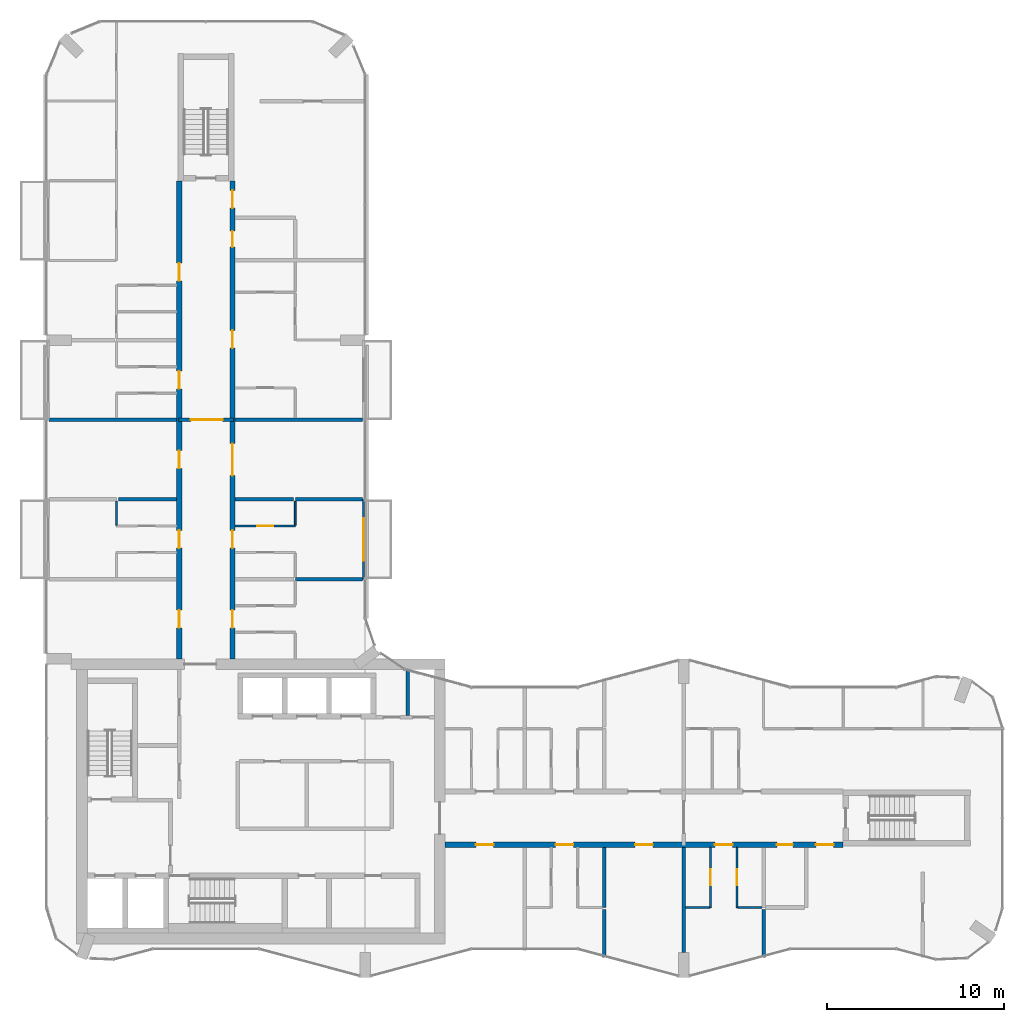
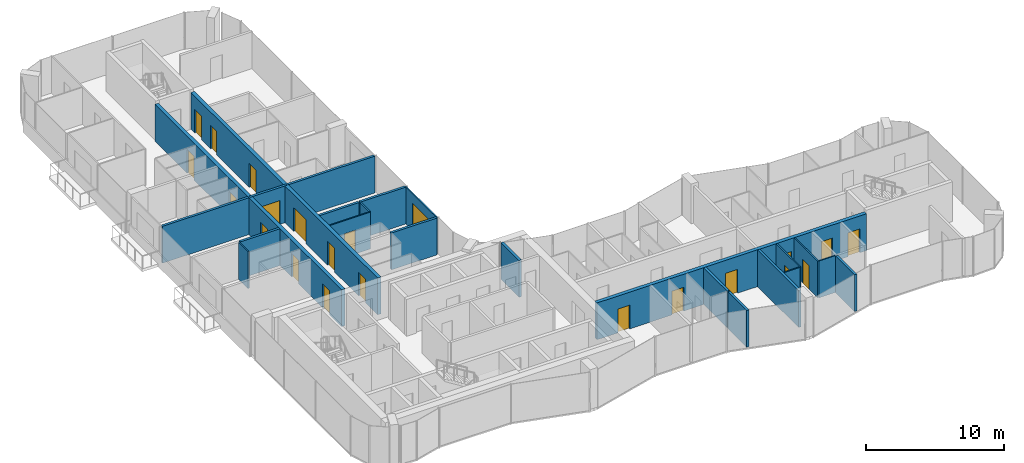
# One storey, part 11 of 16: 23 walls, 22 doors, 22 openings.
"""IFC4 building model written with IfcOpenShell, lengths in metres."""

from ifc_helpers import new_model, si_unit, direction, frame, frame_2d, origin, place, context, subcontext, project, spatial, rectangle, extrude, material, layer, layer_set, type_object, element, fill, save


model = new_model("IFC4")

# Units and contexts
model_context = context("Model", 3, precision=1e-05, world=origin(), true_north=direction((0.0, 1.0)))
body_context = subcontext(model_context, "Body", "Model", "MODEL_VIEW")
ifc_project = project(units=[si_unit("LENGTHUNIT", "METRE"), si_unit("AREAUNIT", "SQUARE_METRE"), si_unit("VOLUMEUNIT", "CUBIC_METRE"), si_unit("PLANEANGLEUNIT", "RADIAN"), si_unit("MASSUNIT", "GRAM", prefix="KILO")], contexts=[model_context])

# Site, building, storey
site_placement = place(None, origin())
site = spatial("IfcSite", under=ifc_project, at=site_placement, CompositionType="ELEMENT")
building_placement = place(site_placement, origin())
building = spatial("IfcBuilding", under=site, at=building_placement, Name="Plateau Cross Towers", CompositionType="ELEMENT")
storey_placement = place(building_placement, frame((0.0, 0.0, 167.39990234375)))
storey = spatial("IfcBuildingStorey", under=building, at=storey_placement, Name="L43", CompositionType="ELEMENT", Elevation=167.39990234375)

# Wall, opening, door
ifc_material_1 = material(Name="Aluminium framed glazing", Category="aluminium")
ifc_layer_1 = layer(ifc_material_1, 0.10009765625)
ifc_layer_set_1 = layer_set([ifc_layer_1], Name="Aluminium framed glazing")
wall_type_1 = type_object("IfcWallType", Name="Balcony screen wall 100", PredefinedType="STANDARD", material=ifc_layer_set_1)
wall_1_placement = place(storey_placement, frame((17.89990234375, 27.0, 0.0), z_axis=(0.0, 0.0, 1.0), x_axis=(0.0, -1.0, 0.0)))
wall_1 = element("IfcWall", 1, at=wall_1_placement, inside=storey, type_object=wall_type_1, Name="Balcony screen wall A-BAL-L43-04", PredefinedType="STANDARD", context=body_context, shape_type="SweptSolid", body=[
    extrude(rectangle(XDim=4.5, YDim=0.10009765625, at=frame_2d((2.25, 0.0))), origin(), (0.0, 0.0, 1.0), 3.25),
])
opening_1_placement = place(wall_1_placement, frame((1.050048828125, 0.0, 0.0)))
opening_1 = element("IfcOpeningElement", 2, at=opening_1_placement, cuts=wall_1, Name="Opening D-B24", PredefinedType="OPENING", context=body_context, shape_type="SweptSolid", body=[
    extrude(rectangle(XDim=2.39990234375, YDim=2.39990234375, at=frame_2d((1.199951171875, 1.199951171875))), frame((0.0, 0.06005859375, 0.0), z_axis=(0.0, -1.0, 0.0), x_axis=(1.0, 0.0, 0.0)), (0.0, 0.0, 1.0), 0.1201171875),
])
ifc_material_2 = material(Name="Aluminium frame, double glazing", Category="aluminium")
door_type_1 = type_object("IfcDoorType", Name="Balcony sliding door 2400", OperationType="NOTDEFINED", PredefinedType="DOOR", material=ifc_material_2)
door_1_placement = place(opening_1_placement, origin())
door_1 = element("IfcDoor", 3, at=door_1_placement, inside=storey, type_object=door_type_1, Name="Balcony door A-BAL-L43-04", OperationType="SINGLE_SWING_LEFT", OverallHeight=2.39990234375, OverallWidth=2.39990234375, PredefinedType="DOOR", context=body_context, shape_type="SweptSolid", body=[
    extrude(rectangle(XDim=2.39990234375, YDim=2.39990234375, at=frame_2d((1.199951171875, 1.199951171875))), frame((0.0, 0.02490234375, 0.0), z_axis=(0.0, -1.0, 0.0), x_axis=(1.0, 0.0, 0.0)), (0.0, 0.0, 1.0), 0.050048828125),
])
fill(opening_1, door_1)

# Wall
ifc_material_3 = material(Name="Concrete block, plastered both sides", Category="concrete")
ifc_layer_2 = layer(ifc_material_3, 0.199951171875)
ifc_layer_set_2 = layer_set([ifc_layer_2], Name="Concrete block, plastered both sides")
wall_type_2 = type_object("IfcWallType", Name="Core partition 200", PredefinedType="PARTITIONING", material=ifc_layer_set_2)
wall_2_placement = place(storey_placement, frame((20.39990234375, 14.800048828125, 0.0), z_axis=(0.0, 0.0, 1.0), x_axis=(0.0, 1.0, 0.0)))
element("IfcWall", 4, at=wall_2_placement, inside=storey, type_object=wall_type_2, Name="Core partition", PredefinedType="PARTITIONING", context=body_context, shape_type="SweptSolid", body=[
    extrude(rectangle(XDim=2.599853515625, YDim=0.199951171875, at=frame_2d((1.2998046875, 0.0))), origin(), (0.0, 0.0, 1.0), 3.25),
])

# Wall, openings, doors
ifc_material_4 = material(Name="Concrete C60/75", Category="concrete")
ifc_layer_3 = layer(ifc_material_4, 0.300048828125)
ifc_layer_set_3 = layer_set([ifc_layer_3], Name="Concrete C60/75")
wall_type_3 = type_object("IfcWallType", Name="Corridor wall 300", PredefinedType="SHEAR", material=ifc_layer_set_3)
wall_3_placement = place(storey_placement, frame((22.5, 7.5, 0.0), z_axis=(0.0, 0.0, 1.0), x_axis=(1.0, 0.0, 0.0)))
wall_3 = element("IfcWall", 5, at=wall_3_placement, inside=storey, type_object=wall_type_3, Name="A-cw-S1@L43", PredefinedType="SHEAR", context=body_context, shape_type="SweptSolid", body=[
    extrude(rectangle(XDim=22.5, YDim=0.300048828125, at=frame_2d((11.25, 0.0))), origin(), (0.0, 0.0, 1.0), 3.25),
])
opening_2_placement = place(wall_3_placement, frame((1.75, 0.0, 0.0)))
opening_2 = element("IfcOpeningElement", 6, at=opening_2_placement, cuts=wall_3, Name="Opening 43-01", PredefinedType="OPENING", context=body_context, shape_type="SweptSolid", body=[
    extrude(rectangle(XDim=1.0, YDim=2.10009765625, at=frame_2d((0.5, 1.050048828125))), frame((0.0, 0.159912109375, 0.0), z_axis=(0.0, -1.0, 0.0), x_axis=(1.0, 0.0, 0.0)), (0.0, 0.0, 1.0), 0.320068359375),
])
opening_3_placement = place(wall_3_placement, frame((6.25, 0.0, 0.0)))
opening_3 = element("IfcOpeningElement", 7, at=opening_3_placement, cuts=wall_3, Name="Opening 43-02", PredefinedType="OPENING", context=body_context, shape_type="SweptSolid", body=[
    extrude(rectangle(XDim=1.0, YDim=2.10009765625, at=frame_2d((0.5, 1.050048828125))), frame((0.0, 0.159912109375, 0.0), z_axis=(0.0, -1.0, 0.0), x_axis=(1.0, 0.0, 0.0)), (0.0, 0.0, 1.0), 0.320068359375),
])
opening_4_placement = place(wall_3_placement, frame((10.75, 0.0, 0.0)))
opening_4 = element("IfcOpeningElement", 8, at=opening_4_placement, cuts=wall_3, Name="Opening 43-03", PredefinedType="OPENING", context=body_context, shape_type="SweptSolid", body=[
    extrude(rectangle(XDim=1.0, YDim=2.10009765625, at=frame_2d((0.5, 1.050048828125))), frame((0.0, 0.159912109375, 0.0), z_axis=(0.0, -1.0, 0.0), x_axis=(1.0, 0.0, 0.0)), (0.0, 0.0, 1.0), 0.320068359375),
])
opening_5_placement = place(wall_3_placement, frame((15.25, 0.0, 0.0)))
opening_5 = element("IfcOpeningElement", 9, at=opening_5_placement, cuts=wall_3, Name="Opening 43-04", PredefinedType="OPENING", context=body_context, shape_type="SweptSolid", body=[
    extrude(rectangle(XDim=1.0, YDim=2.10009765625, at=frame_2d((0.5, 1.050048828125))), frame((0.0, 0.159912109375, 0.0), z_axis=(0.0, -1.0, 0.0), x_axis=(1.0, 0.0, 0.0)), (0.0, 0.0, 1.0), 0.320068359375),
])
opening_6_placement = place(wall_3_placement, frame((18.75, 0.0, 0.0)))
opening_6 = element("IfcOpeningElement", 10, at=opening_6_placement, cuts=wall_3, Name="Opening 43-05", PredefinedType="OPENING", context=body_context, shape_type="SweptSolid", body=[
    extrude(rectangle(XDim=0.89990234375, YDim=2.10009765625, at=frame_2d((0.449951171875, 1.050048828125))), frame((0.0, 0.159912109375, 0.0), z_axis=(0.0, -1.0, 0.0), x_axis=(1.0, 0.0, 0.0)), (0.0, 0.0, 1.0), 0.320068359375),
])
opening_7_placement = place(wall_3_placement, frame((20.949951171875, 0.0, 0.0)))
opening_7 = element("IfcOpeningElement", 11, at=opening_7_placement, cuts=wall_3, Name="Opening 43-06", PredefinedType="OPENING", context=body_context, shape_type="SweptSolid", body=[
    extrude(rectangle(XDim=1.0, YDim=2.10009765625, at=frame_2d((0.5, 1.050048828125))), frame((0.0, 0.159912109375, 0.0), z_axis=(0.0, -1.0, 0.0), x_axis=(1.0, 0.0, 0.0)), (0.0, 0.0, 1.0), 0.320068359375),
])
ifc_material_5 = material(Name="Timber, fire-resisting leaf", Category="wood")
door_type_2 = type_object("IfcDoorType", Name="Flat entrance door 1000", OperationType="NOTDEFINED", PredefinedType="DOOR", material=ifc_material_5)
door_2_placement = place(opening_2_placement, origin())
door_2 = element("IfcDoor", 12, at=door_2_placement, inside=storey, type_object=door_type_2, Name="Door 43-01", OperationType="SINGLE_SWING_LEFT", OverallHeight=2.10009765625, OverallWidth=1.0, PredefinedType="DOOR", context=body_context, shape_type="SweptSolid", body=[
    extrude(rectangle(XDim=1.0, YDim=2.10009765625, at=frame_2d((0.5, 1.050048828125))), frame((0.0, 0.02490234375, 0.0), z_axis=(0.0, -1.0, 0.0), x_axis=(1.0, 0.0, 0.0)), (0.0, 0.0, 1.0), 0.050048828125),
])
fill(opening_2, door_2)
door_3_placement = place(opening_3_placement, origin())
door_3 = element("IfcDoor", 13, at=door_3_placement, inside=storey, type_object=door_type_2, Name="Door 43-02", OperationType="SINGLE_SWING_LEFT", OverallHeight=2.10009765625, OverallWidth=1.0, PredefinedType="DOOR", context=body_context, shape_type="SweptSolid", body=[
    extrude(rectangle(XDim=1.0, YDim=2.10009765625, at=frame_2d((0.5, 1.050048828125))), frame((0.0, 0.02490234375, 0.0), z_axis=(0.0, -1.0, 0.0), x_axis=(1.0, 0.0, 0.0)), (0.0, 0.0, 1.0), 0.050048828125),
])
fill(opening_3, door_3)
door_4_placement = place(opening_4_placement, origin())
door_4 = element("IfcDoor", 14, at=door_4_placement, inside=storey, type_object=door_type_2, Name="Door 43-03", OperationType="SINGLE_SWING_LEFT", OverallHeight=2.10009765625, OverallWidth=1.0, PredefinedType="DOOR", context=body_context, shape_type="SweptSolid", body=[
    extrude(rectangle(XDim=1.0, YDim=2.10009765625, at=frame_2d((0.5, 1.050048828125))), frame((0.0, 0.02490234375, 0.0), z_axis=(0.0, -1.0, 0.0), x_axis=(1.0, 0.0, 0.0)), (0.0, 0.0, 1.0), 0.050048828125),
])
fill(opening_4, door_4)
door_5_placement = place(opening_5_placement, origin())
door_5 = element("IfcDoor", 15, at=door_5_placement, inside=storey, type_object=door_type_2, Name="Door 43-04", OperationType="SINGLE_SWING_RIGHT", OverallHeight=2.10009765625, OverallWidth=1.0, PredefinedType="DOOR", context=body_context, shape_type="SweptSolid", body=[
    extrude(rectangle(XDim=1.0, YDim=2.10009765625, at=frame_2d((0.5, 1.050048828125))), frame((0.0, 0.02490234375, 0.0), z_axis=(0.0, -1.0, 0.0), x_axis=(1.0, 0.0, 0.0)), (0.0, 0.0, 1.0), 0.050048828125),
])
fill(opening_5, door_5)
door_6_placement = place(opening_7_placement, origin())
door_6 = element("IfcDoor", 16, at=door_6_placement, inside=storey, type_object=door_type_2, Name="Door 43-06", OperationType="SINGLE_SWING_RIGHT", OverallHeight=2.10009765625, OverallWidth=1.0, PredefinedType="DOOR", context=body_context, shape_type="SweptSolid", body=[
    extrude(rectangle(XDim=1.0, YDim=2.10009765625, at=frame_2d((0.5, 1.050048828125))), frame((0.0, 0.02490234375, 0.0), z_axis=(0.0, -1.0, 0.0), x_axis=(1.0, 0.0, 0.0)), (0.0, 0.0, 1.0), 0.050048828125),
])
fill(opening_7, door_6)
door_type_3 = type_object("IfcDoorType", Name="Flat floor service door 900", OperationType="NOTDEFINED", PredefinedType="DOOR", material=ifc_material_5)
door_7_placement = place(opening_6_placement, origin())
door_7 = element("IfcDoor", 17, at=door_7_placement, inside=storey, type_object=door_type_3, Name="Door 43-05", OperationType="SINGLE_SWING_RIGHT", OverallHeight=2.10009765625, OverallWidth=0.89990234375, PredefinedType="DOOR", context=body_context, shape_type="SweptSolid", body=[
    extrude(rectangle(XDim=0.89990234375, YDim=2.10009765625, at=frame_2d((0.449951171875, 1.050048828125))), frame((0.0, 0.02490234375, 0.0), z_axis=(0.0, -1.0, 0.0), x_axis=(1.0, 0.0, 0.0)), (0.0, 0.0, 1.0), 0.050048828125),
])
fill(opening_6, door_7)

wall_4_placement = place(storey_placement, frame((7.5, 18.0, 0.0), z_axis=(0.0, 0.0, 1.0), x_axis=(0.0, 1.0, 0.0)))
wall_4 = element("IfcWall", 18, at=wall_4_placement, inside=storey, type_object=wall_type_3, Name="A-cw-W1@L43", PredefinedType="SHEAR", context=body_context, shape_type="SweptSolid", body=[
    extrude(rectangle(XDim=27.0, YDim=0.300048828125, at=frame_2d((13.5, 0.0))), origin(), (0.0, 0.0, 1.0), 3.25),
])
opening_8_placement = place(wall_4_placement, frame((1.75, 0.0, 0.0)))
opening_8 = element("IfcOpeningElement", 19, at=opening_8_placement, cuts=wall_4, Name="Opening 43-11", PredefinedType="OPENING", context=body_context, shape_type="SweptSolid", body=[
    extrude(rectangle(XDim=1.0, YDim=2.10009765625, at=frame_2d((0.5, 1.050048828125))), frame((0.0, 0.159912109375, 0.0), z_axis=(0.0, -1.0, 0.0), x_axis=(1.0, 0.0, 0.0)), (0.0, 0.0, 1.0), 0.320068359375),
])
opening_9_placement = place(wall_4_placement, frame((6.25, 0.0, 0.0)))
opening_9 = element("IfcOpeningElement", 20, at=opening_9_placement, cuts=wall_4, Name="Opening 43-12", PredefinedType="OPENING", context=body_context, shape_type="SweptSolid", body=[
    extrude(rectangle(XDim=1.0, YDim=2.10009765625, at=frame_2d((0.5, 1.050048828125))), frame((0.0, 0.159912109375, 0.0), z_axis=(0.0, -1.0, 0.0), x_axis=(1.0, 0.0, 0.0)), (0.0, 0.0, 1.0), 0.320068359375),
])
opening_10_placement = place(wall_4_placement, frame((10.75, 0.0, 0.0)))
opening_10 = element("IfcOpeningElement", 21, at=opening_10_placement, cuts=wall_4, Name="Opening 43-13", PredefinedType="OPENING", context=body_context, shape_type="SweptSolid", body=[
    extrude(rectangle(XDim=1.0, YDim=2.10009765625, at=frame_2d((0.5, 1.050048828125))), frame((0.0, 0.159912109375, 0.0), z_axis=(0.0, -1.0, 0.0), x_axis=(1.0, 0.0, 0.0)), (0.0, 0.0, 1.0), 0.320068359375),
])
opening_11_placement = place(wall_4_placement, frame((15.25, 0.0, 0.0)))
opening_11 = element("IfcOpeningElement", 22, at=opening_11_placement, cuts=wall_4, Name="Opening 43-14", PredefinedType="OPENING", context=body_context, shape_type="SweptSolid", body=[
    extrude(rectangle(XDim=1.0, YDim=2.10009765625, at=frame_2d((0.5, 1.050048828125))), frame((0.0, 0.159912109375, 0.0), z_axis=(0.0, -1.0, 0.0), x_axis=(1.0, 0.0, 0.0)), (0.0, 0.0, 1.0), 0.320068359375),
])
opening_12_placement = place(wall_4_placement, frame((21.35009765625, 0.0, 0.0)))
opening_12 = element("IfcOpeningElement", 23, at=opening_12_placement, cuts=wall_4, Name="Opening 43-15", PredefinedType="OPENING", context=body_context, shape_type="SweptSolid", body=[
    extrude(rectangle(XDim=1.0, YDim=2.10009765625, at=frame_2d((0.5, 1.050048828125))), frame((0.0, 0.159912109375, 0.0), z_axis=(0.0, -1.0, 0.0), x_axis=(1.0, 0.0, 0.0)), (0.0, 0.0, 1.0), 0.320068359375),
])
door_8_placement = place(opening_8_placement, origin())
door_8 = element("IfcDoor", 24, at=door_8_placement, inside=storey, type_object=door_type_2, Name="Door 43-11", OperationType="SINGLE_SWING_LEFT", OverallHeight=2.10009765625, OverallWidth=1.0, PredefinedType="DOOR", context=body_context, shape_type="SweptSolid", body=[
    extrude(rectangle(XDim=1.0, YDim=2.10009765625, at=frame_2d((0.5, 1.050048828125))), frame((0.0, 0.02490234375, 0.0), z_axis=(0.0, -1.0, 0.0), x_axis=(1.0, 0.0, 0.0)), (0.0, 0.0, 1.0), 0.050048828125),
])
fill(opening_8, door_8)
door_9_placement = place(opening_9_placement, origin())
door_9 = element("IfcDoor", 25, at=door_9_placement, inside=storey, type_object=door_type_2, Name="Door 43-12", OperationType="SINGLE_SWING_LEFT", OverallHeight=2.10009765625, OverallWidth=1.0, PredefinedType="DOOR", context=body_context, shape_type="SweptSolid", body=[
    extrude(rectangle(XDim=1.0, YDim=2.10009765625, at=frame_2d((0.5, 1.050048828125))), frame((0.0, 0.02490234375, 0.0), z_axis=(0.0, -1.0, 0.0), x_axis=(1.0, 0.0, 0.0)), (0.0, 0.0, 1.0), 0.050048828125),
])
fill(opening_9, door_9)
door_10_placement = place(opening_10_placement, origin())
door_10 = element("IfcDoor", 26, at=door_10_placement, inside=storey, type_object=door_type_2, Name="Door 43-13", OperationType="SINGLE_SWING_LEFT", OverallHeight=2.10009765625, OverallWidth=1.0, PredefinedType="DOOR", context=body_context, shape_type="SweptSolid", body=[
    extrude(rectangle(XDim=1.0, YDim=2.10009765625, at=frame_2d((0.5, 1.050048828125))), frame((0.0, 0.02490234375, 0.0), z_axis=(0.0, -1.0, 0.0), x_axis=(1.0, 0.0, 0.0)), (0.0, 0.0, 1.0), 0.050048828125),
])
fill(opening_10, door_10)
door_11_placement = place(opening_11_placement, origin())
door_11 = element("IfcDoor", 27, at=door_11_placement, inside=storey, type_object=door_type_2, Name="Door 43-14", OperationType="SINGLE_SWING_RIGHT", OverallHeight=2.10009765625, OverallWidth=1.0, PredefinedType="DOOR", context=body_context, shape_type="SweptSolid", body=[
    extrude(rectangle(XDim=1.0, YDim=2.10009765625, at=frame_2d((0.5, 1.050048828125))), frame((0.0, 0.02490234375, 0.0), z_axis=(0.0, -1.0, 0.0), x_axis=(1.0, 0.0, 0.0)), (0.0, 0.0, 1.0), 0.050048828125),
])
fill(opening_11, door_11)
door_12_placement = place(opening_12_placement, origin())
door_12 = element("IfcDoor", 28, at=door_12_placement, inside=storey, type_object=door_type_2, Name="Door 43-15", OperationType="SINGLE_SWING_RIGHT", OverallHeight=2.10009765625, OverallWidth=1.0, PredefinedType="DOOR", context=body_context, shape_type="SweptSolid", body=[
    extrude(rectangle(XDim=1.0, YDim=2.10009765625, at=frame_2d((0.5, 1.050048828125))), frame((0.0, 0.02490234375, 0.0), z_axis=(0.0, -1.0, 0.0), x_axis=(1.0, 0.0, 0.0)), (0.0, 0.0, 1.0), 0.050048828125),
])
fill(opening_12, door_12)

wall_5_placement = place(storey_placement, frame((10.5, 18.0, 0.0), z_axis=(0.0, 0.0, 1.0), x_axis=(0.0, 1.0, 0.0)))
wall_5 = element("IfcWall", 29, at=wall_5_placement, inside=storey, type_object=wall_type_3, Name="A-cw-W2@L43", PredefinedType="SHEAR", context=body_context, shape_type="SweptSolid", body=[
    extrude(rectangle(XDim=27.0, YDim=0.300048828125, at=frame_2d((13.5, 0.0))), origin(), (0.0, 0.0, 1.0), 3.25),
])
opening_13_placement = place(wall_5_placement, frame((1.75, 0.0, 0.0)))
opening_13 = element("IfcOpeningElement", 30, at=opening_13_placement, cuts=wall_5, Name="Opening 43-16", PredefinedType="OPENING", context=body_context, shape_type="SweptSolid", body=[
    extrude(rectangle(XDim=1.0, YDim=2.10009765625, at=frame_2d((0.5, 1.050048828125))), frame((0.0, 0.159912109375, 0.0), z_axis=(0.0, -1.0, 0.0), x_axis=(1.0, 0.0, 0.0)), (0.0, 0.0, 1.0), 0.320068359375),
])
opening_14_placement = place(wall_5_placement, frame((6.25, 0.0, 0.0)))
opening_14 = element("IfcOpeningElement", 31, at=opening_14_placement, cuts=wall_5, Name="Opening 43-17", PredefinedType="OPENING", context=body_context, shape_type="SweptSolid", body=[
    extrude(rectangle(XDim=1.0, YDim=2.10009765625, at=frame_2d((0.5, 1.050048828125))), frame((0.0, 0.159912109375, 0.0), z_axis=(0.0, -1.0, 0.0), x_axis=(1.0, 0.0, 0.0)), (0.0, 0.0, 1.0), 0.320068359375),
])
opening_15_placement = place(wall_5_placement, frame((10.35009765625, 0.0, 0.0)))
opening_15 = element("IfcOpeningElement", 32, at=opening_15_placement, cuts=wall_5, Name="Opening 43-18", PredefinedType="OPENING", context=body_context, shape_type="SweptSolid", body=[
    extrude(rectangle(XDim=1.800048828125, YDim=2.10009765625, at=frame_2d((0.89990234375, 1.050048828125))), frame((0.0, 0.159912109375, 0.0), z_axis=(0.0, -1.0, 0.0), x_axis=(1.0, 0.0, 0.0)), (0.0, 0.0, 1.0), 0.320068359375),
])
opening_16_placement = place(wall_5_placement, frame((17.550048828125, 0.0, 0.0)))
opening_16 = element("IfcOpeningElement", 33, at=opening_16_placement, cuts=wall_5, Name="Opening 43-19", PredefinedType="OPENING", context=body_context, shape_type="SweptSolid", body=[
    extrude(rectangle(XDim=1.0, YDim=2.10009765625, at=frame_2d((0.5, 1.050048828125))), frame((0.0, 0.159912109375, 0.0), z_axis=(0.0, -1.0, 0.0), x_axis=(1.0, 0.0, 0.0)), (0.0, 0.0, 1.0), 0.320068359375),
])
opening_17_placement = place(wall_5_placement, frame((23.25, 0.0, 0.0)))
opening_17 = element("IfcOpeningElement", 34, at=opening_17_placement, cuts=wall_5, Name="Opening 43-20", PredefinedType="OPENING", context=body_context, shape_type="SweptSolid", body=[
    extrude(rectangle(XDim=0.89990234375, YDim=2.10009765625, at=frame_2d((0.449951171875, 1.050048828125))), frame((0.0, 0.159912109375, 0.0), z_axis=(0.0, -1.0, 0.0), x_axis=(1.0, 0.0, 0.0)), (0.0, 0.0, 1.0), 0.320068359375),
])
opening_18_placement = place(wall_5_placement, frame((25.449951171875, 0.0, 0.0)))
opening_18 = element("IfcOpeningElement", 35, at=opening_18_placement, cuts=wall_5, Name="Opening 43-21", PredefinedType="OPENING", context=body_context, shape_type="SweptSolid", body=[
    extrude(rectangle(XDim=1.0, YDim=2.10009765625, at=frame_2d((0.5, 1.050048828125))), frame((0.0, 0.159912109375, 0.0), z_axis=(0.0, -1.0, 0.0), x_axis=(1.0, 0.0, 0.0)), (0.0, 0.0, 1.0), 0.320068359375),
])
door_13_placement = place(opening_13_placement, origin())
door_13 = element("IfcDoor", 36, at=door_13_placement, inside=storey, type_object=door_type_2, Name="Door 43-16", OperationType="SINGLE_SWING_LEFT", OverallHeight=2.10009765625, OverallWidth=1.0, PredefinedType="DOOR", context=body_context, shape_type="SweptSolid", body=[
    extrude(rectangle(XDim=1.0, YDim=2.10009765625, at=frame_2d((0.5, 1.050048828125))), frame((0.0, 0.02490234375, 0.0), z_axis=(0.0, -1.0, 0.0), x_axis=(1.0, 0.0, 0.0)), (0.0, 0.0, 1.0), 0.050048828125),
])
fill(opening_13, door_13)
door_14_placement = place(opening_14_placement, origin())
door_14 = element("IfcDoor", 37, at=door_14_placement, inside=storey, type_object=door_type_2, Name="Door 43-17", OperationType="SINGLE_SWING_LEFT", OverallHeight=2.10009765625, OverallWidth=1.0, PredefinedType="DOOR", context=body_context, shape_type="SweptSolid", body=[
    extrude(rectangle(XDim=1.0, YDim=2.10009765625, at=frame_2d((0.5, 1.050048828125))), frame((0.0, 0.02490234375, 0.0), z_axis=(0.0, -1.0, 0.0), x_axis=(1.0, 0.0, 0.0)), (0.0, 0.0, 1.0), 0.050048828125),
])
fill(opening_14, door_14)
door_15_placement = place(opening_16_placement, origin())
door_15 = element("IfcDoor", 38, at=door_15_placement, inside=storey, type_object=door_type_2, Name="Door 43-19", OperationType="SINGLE_SWING_RIGHT", OverallHeight=2.10009765625, OverallWidth=1.0, PredefinedType="DOOR", context=body_context, shape_type="SweptSolid", body=[
    extrude(rectangle(XDim=1.0, YDim=2.10009765625, at=frame_2d((0.5, 1.050048828125))), frame((0.0, 0.02490234375, 0.0), z_axis=(0.0, -1.0, 0.0), x_axis=(1.0, 0.0, 0.0)), (0.0, 0.0, 1.0), 0.050048828125),
])
fill(opening_16, door_15)
door_16_placement = place(opening_18_placement, origin())
door_16 = element("IfcDoor", 39, at=door_16_placement, inside=storey, type_object=door_type_2, Name="Door 43-21", OperationType="SINGLE_SWING_RIGHT", OverallHeight=2.10009765625, OverallWidth=1.0, PredefinedType="DOOR", context=body_context, shape_type="SweptSolid", body=[
    extrude(rectangle(XDim=1.0, YDim=2.10009765625, at=frame_2d((0.5, 1.050048828125))), frame((0.0, 0.02490234375, 0.0), z_axis=(0.0, -1.0, 0.0), x_axis=(1.0, 0.0, 0.0)), (0.0, 0.0, 1.0), 0.050048828125),
])
fill(opening_18, door_16)
ifc_material_6 = material(Name="Timber, fire-resisting leaves", Category="wood")
door_type_4 = type_object("IfcDoorType", Name="Flat floor fire door pair 1800", OperationType="NOTDEFINED", PredefinedType="DOOR", material=ifc_material_6)
door_17_placement = place(opening_15_placement, origin())
door_17 = element("IfcDoor", 40, at=door_17_placement, inside=storey, type_object=door_type_4, Name="Door 43-18", OperationType="SINGLE_SWING_LEFT", OverallHeight=2.10009765625, OverallWidth=1.800048828125, PredefinedType="DOOR", context=body_context, shape_type="SweptSolid", body=[
    extrude(rectangle(XDim=1.800048828125, YDim=2.10009765625, at=frame_2d((0.89990234375, 1.050048828125))), frame((0.0, 0.02490234375, 0.0), z_axis=(0.0, -1.0, 0.0), x_axis=(1.0, 0.0, 0.0)), (0.0, 0.0, 1.0), 0.050048828125),
])
fill(opening_15, door_17)
door_18_placement = place(opening_17_placement, origin())
door_18 = element("IfcDoor", 41, at=door_18_placement, inside=storey, type_object=door_type_3, Name="Door 43-20", OperationType="SINGLE_SWING_RIGHT", OverallHeight=2.10009765625, OverallWidth=0.89990234375, PredefinedType="DOOR", context=body_context, shape_type="SweptSolid", body=[
    extrude(rectangle(XDim=0.89990234375, YDim=2.10009765625, at=frame_2d((0.449951171875, 1.050048828125))), frame((0.0, 0.02490234375, 0.0), z_axis=(0.0, -1.0, 0.0), x_axis=(1.0, 0.0, 0.0)), (0.0, 0.0, 1.0), 0.050048828125),
])
fill(opening_17, door_18)

# Walls
ifc_material_7 = material(Name="Gypsum board on steel studs", Category="steel")
ifc_layer_4 = layer(ifc_material_7, 0.10009765625)
ifc_layer_set_4 = layer_set([ifc_layer_4], Name="Gypsum board on steel studs")
wall_type_4 = type_object("IfcWallType", Name="Flat partition 100", PredefinedType="PARTITIONING", material=ifc_layer_set_4)
for number, where, z_axis, x_axis, name in (
    (42, (36.10009765625, 3.949951171875, 0.0), (0.0, 0.0, 1.0), (1.0, 0.0, 0.0), "Partition wall"),
    (43, (39.050048828125, 3.949951171875, 0.0), (0.0, 0.0, 1.0), (1.0, 0.0, 0.0), "Partition wall"),
):
    element("IfcWall", number, at=place(storey_placement, frame(where, z_axis=z_axis, x_axis=x_axis)), inside=storey, type_object=wall_type_4, Name=name, PredefinedType="PARTITIONING", context=body_context, shape_type="SweptSolid", body=[
        extrude(rectangle(XDim=1.349853515625, YDim=0.10009765625, at=frame_2d((0.6748046875, 0.0))), origin(), (0.0, 0.0, 1.0), 3.25),
    ])

# Wall, opening, door
wall_6_placement = place(storey_placement, frame((10.64990234375, 25.5, 0.0), z_axis=(0.0, 0.0, 1.0), x_axis=(1.0, 0.0, 0.0)))
wall_6 = element("IfcWall", 44, at=wall_6_placement, inside=storey, type_object=wall_type_4, Name="Partition wall", PredefinedType="PARTITIONING", context=body_context, shape_type="SweptSolid", body=[
    extrude(rectangle(XDim=3.400146484375, YDim=0.10009765625, at=frame_2d((1.7001953125, 0.0))), origin(), (0.0, 0.0, 1.0), 3.25),
])
opening_19_placement = place(wall_6_placement, frame((1.25, 0.0, 0.0)))
opening_19 = element("IfcOpeningElement", 45, at=opening_19_placement, cuts=wall_6, Name="Opening 43-51", PredefinedType="OPENING", context=body_context, shape_type="SweptSolid", body=[
    extrude(rectangle(XDim=0.89990234375, YDim=2.10009765625, at=frame_2d((0.449951171875, 1.050048828125))), frame((0.0, 0.06005859375, 0.0), z_axis=(0.0, -1.0, 0.0), x_axis=(1.0, 0.0, 0.0)), (0.0, 0.0, 1.0), 0.1201171875),
])
ifc_material_8 = material(Name="Timber leaf", Category="wood")
door_type_5 = type_object("IfcDoorType", Name="Flat room door 900", OperationType="NOTDEFINED", PredefinedType="DOOR", material=ifc_material_8)
door_19_placement = place(opening_19_placement, origin())
door_19 = element("IfcDoor", 46, at=door_19_placement, inside=storey, type_object=door_type_5, Name="Door 43-51", OperationType="SINGLE_SWING_LEFT", OverallHeight=2.10009765625, OverallWidth=0.89990234375, PredefinedType="DOOR", context=body_context, shape_type="SweptSolid", body=[
    extrude(rectangle(XDim=0.89990234375, YDim=2.10009765625, at=frame_2d((0.449951171875, 1.050048828125))), frame((0.0, 0.02490234375, 0.0), z_axis=(0.0, -1.0, 0.0), x_axis=(1.0, 0.0, 0.0)), (0.0, 0.0, 1.0), 0.050048828125),
])
fill(opening_19, door_19)

# Walls
for number, where, z_axis, x_axis, name in (
    (47, (3.949951171875, 26.89990234375, 0.0), (0.0, 0.0, 1.0), (0.0, -1.0, 0.0), "Partition wall"),
    (48, (14.050048828125, 25.550048828125, 0.0), (0.0, 0.0, 1.0), (0.0, 1.0, 0.0), "Partition wall"),
):
    element("IfcWall", number, at=place(storey_placement, frame(where, z_axis=z_axis, x_axis=x_axis)), inside=storey, type_object=wall_type_4, Name=name, PredefinedType="PARTITIONING", context=body_context, shape_type="SweptSolid", body=[
        extrude(rectangle(XDim=1.349853515625, YDim=0.10009765625, at=frame_2d((0.6748046875, 0.0))), origin(), (0.0, 0.0, 1.0), 3.25),
    ])

# Wall, opening, door
wall_7_placement = place(storey_placement, frame((37.5, 3.949951171875, 0.0), z_axis=(0.0, 0.0, 1.0), x_axis=(0.0, 1.0, 0.0)))
wall_7 = element("IfcWall", 49, at=wall_7_placement, inside=storey, type_object=wall_type_4, Name="Partition wall", PredefinedType="PARTITIONING", context=body_context, shape_type="SweptSolid", body=[
    extrude(rectangle(XDim=3.400146484375, YDim=0.10009765625, at=frame_2d((1.7001953125, 0.0))), origin(), (0.0, 0.0, 1.0), 3.25),
])
opening_20_placement = place(wall_7_placement, frame((1.25, 0.0, 0.0)))
opening_20 = element("IfcOpeningElement", 50, at=opening_20_placement, cuts=wall_7, Name="Opening 43-28", PredefinedType="OPENING", context=body_context, shape_type="SweptSolid", body=[
    extrude(rectangle(XDim=0.89990234375, YDim=2.10009765625, at=frame_2d((0.449951171875, 1.050048828125))), frame((0.0, 0.06005859375, 0.0), z_axis=(0.0, -1.0, 0.0), x_axis=(1.0, 0.0, 0.0)), (0.0, 0.0, 1.0), 0.1201171875),
])
door_20_placement = place(opening_20_placement, origin())
door_20 = element("IfcDoor", 51, at=door_20_placement, inside=storey, type_object=door_type_5, Name="Door 43-28", OperationType="SINGLE_SWING_RIGHT", OverallHeight=2.10009765625, OverallWidth=0.89990234375, PredefinedType="DOOR", context=body_context, shape_type="SweptSolid", body=[
    extrude(rectangle(XDim=0.89990234375, YDim=2.10009765625, at=frame_2d((0.449951171875, 1.050048828125))), frame((0.0, 0.02490234375, 0.0), z_axis=(0.0, -1.0, 0.0), x_axis=(1.0, 0.0, 0.0)), (0.0, 0.0, 1.0), 0.050048828125),
])
fill(opening_20, door_20)

wall_8_placement = place(storey_placement, frame((39.0, 7.35009765625, 0.0), z_axis=(0.0, 0.0, 1.0), x_axis=(0.0, -1.0, 0.0)))
wall_8 = element("IfcWall", 52, at=wall_8_placement, inside=storey, type_object=wall_type_4, Name="Partition wall", PredefinedType="PARTITIONING", context=body_context, shape_type="SweptSolid", body=[
    extrude(rectangle(XDim=3.400146484375, YDim=0.10009765625, at=frame_2d((1.7001953125, 0.0))), origin(), (0.0, 0.0, 1.0), 3.25),
])
opening_21_placement = place(wall_8_placement, frame((1.25, 0.0, 0.0)))
opening_21 = element("IfcOpeningElement", 53, at=opening_21_placement, cuts=wall_8, Name="Opening 43-29", PredefinedType="OPENING", context=body_context, shape_type="SweptSolid", body=[
    extrude(rectangle(XDim=0.89990234375, YDim=2.10009765625, at=frame_2d((0.449951171875, 1.050048828125))), frame((0.0, 0.06005859375, 0.0), z_axis=(0.0, -1.0, 0.0), x_axis=(1.0, 0.0, 0.0)), (0.0, 0.0, 1.0), 0.1201171875),
])
door_21_placement = place(opening_21_placement, origin())
door_21 = element("IfcDoor", 54, at=door_21_placement, inside=storey, type_object=door_type_5, Name="Door 43-29", OperationType="SINGLE_SWING_RIGHT", OverallHeight=2.10009765625, OverallWidth=0.89990234375, PredefinedType="DOOR", context=body_context, shape_type="SweptSolid", body=[
    extrude(rectangle(XDim=0.89990234375, YDim=2.10009765625, at=frame_2d((0.449951171875, 1.050048828125))), frame((0.0, 0.02490234375, 0.0), z_axis=(0.0, -1.0, 0.0), x_axis=(1.0, 0.0, 0.0)), (0.0, 0.0, 1.0), 0.050048828125),
])
fill(opening_21, door_21)

# Walls
ifc_material_9 = material(Name="Gypsum board on steel studs, two layers each side", Category="steel")
ifc_layer_5 = layer(ifc_material_9, 0.199951171875)
ifc_layer_set_5 = layer_set([ifc_layer_5], Name="Gypsum board on steel studs, two layers each side")
wall_type_5 = type_object("IfcWallType", Name="Flat party wall 200", PredefinedType="PARTITIONING", material=ifc_layer_set_5)
wall_9_placement = place(storey_placement, frame((14.050048828125, 22.5, 0.0), z_axis=(0.0, 0.0, 1.0), x_axis=(1.0, 0.0, 0.0)))
element("IfcWall", 55, at=wall_9_placement, inside=storey, type_object=wall_type_5, Name="Party wall", PredefinedType="PARTITIONING", context=body_context, shape_type="SweptSolid", body=[
    extrude(rectangle(XDim=3.800048828125, YDim=0.199951171875, at=frame_2d((1.89990234375, 0.0))), origin(), (0.0, 0.0, 1.0), 3.25),
])
for number, where, z_axis, x_axis, name in (
    (56, (7.35009765625, 27.0, 0.0), (0.0, 0.0, 1.0), (-1.0, 0.0, 0.0), "Party wall"),
    (57, (13.949951171875, 27.0, 0.0), (0.0, 0.0, 1.0), (-1.0, 0.0, 0.0), "Party wall"),
):
    element("IfcWall", number, at=place(storey_placement, frame(where, z_axis=z_axis, x_axis=x_axis)), inside=storey, type_object=wall_type_5, Name=name, PredefinedType="PARTITIONING", context=body_context, shape_type="SweptSolid", body=[
        extrude(rectangle(XDim=3.300048828125, YDim=0.199951171875, at=frame_2d((1.64990234375, 0.0))), origin(), (0.0, 0.0, 1.0), 3.25),
    ])
wall_10_placement = place(storey_placement, frame((14.050048828125, 27.0, 0.0), z_axis=(0.0, 0.0, 1.0), x_axis=(1.0, 0.0, 0.0)))
element("IfcWall", 58, at=wall_10_placement, inside=storey, type_object=wall_type_5, Name="Party wall", PredefinedType="PARTITIONING", context=body_context, shape_type="SweptSolid", body=[
    extrude(rectangle(XDim=3.800048828125, YDim=0.199951171875, at=frame_2d((1.89990234375, 0.0))), origin(), (0.0, 0.0, 1.0), 3.25),
])
for number, where, z_axis, x_axis, name in (
    (59, (7.35009765625, 31.5, 0.0), (0.0, 0.0, 1.0), (-1.0, 0.0, 0.0), "Party wall"),
    (60, (17.85009765625, 31.5, 0.0), (0.0, 0.0, 1.0), (-1.0, 0.0, 0.0), "Party wall"),
):
    element("IfcWall", number, at=place(storey_placement, frame(where, z_axis=z_axis, x_axis=x_axis)), inside=storey, type_object=wall_type_5, Name=name, PredefinedType="PARTITIONING", context=body_context, shape_type="SweptSolid", body=[
        extrude(rectangle(XDim=7.2001953125, YDim=0.199951171875, at=frame_2d((3.60009765625, 0.0))), origin(), (0.0, 0.0, 1.0), 3.25),
    ])
wall_11_placement = place(storey_placement, frame((31.5, 3.85009765625, 0.0), z_axis=(0.0, 0.0, 1.0), x_axis=(0.0, -1.0, 0.0)))
element("IfcWall", 61, at=wall_11_placement, inside=storey, type_object=wall_type_5, Name="Party wall", PredefinedType="PARTITIONING", context=body_context, shape_type="SweptSolid", body=[
    extrude(rectangle(XDim=2.727783203125, YDim=0.199951171875, at=frame_2d((1.36376953125, 0.0))), origin(), (0.0, 0.0, 1.0), 3.25),
])
wall_12_placement = place(storey_placement, frame((31.5, 3.949951171875, 0.0), z_axis=(0.0, 0.0, 1.0), x_axis=(0.0, 1.0, 0.0)))
element("IfcWall", 62, at=wall_12_placement, inside=storey, type_object=wall_type_5, Name="Party wall", PredefinedType="PARTITIONING", context=body_context, shape_type="SweptSolid", body=[
    extrude(rectangle(XDim=3.400146484375, YDim=0.199951171875, at=frame_2d((1.7001953125, 0.0))), origin(), (0.0, 0.0, 1.0), 3.25),
])
wall_13_placement = place(storey_placement, frame((36.0, 1.39990234375, 0.0), z_axis=(0.0, 0.0, 1.0), x_axis=(0.0, 1.0, 0.0)))
element("IfcWall", 63, at=wall_13_placement, inside=storey, type_object=wall_type_5, Name="Party wall", PredefinedType="PARTITIONING", context=body_context, shape_type="SweptSolid", body=[
    extrude(rectangle(XDim=5.9501953125, YDim=0.199951171875, at=frame_2d((2.97509765625, 0.0))), origin(), (0.0, 0.0, 1.0), 3.25),
])
wall_14_placement = place(storey_placement, frame((40.5, 3.85009765625, 0.0), z_axis=(0.0, 0.0, 1.0), x_axis=(0.0, -1.0, 0.0)))
element("IfcWall", 64, at=wall_14_placement, inside=storey, type_object=wall_type_5, Name="Party wall", PredefinedType="PARTITIONING", context=body_context, shape_type="SweptSolid", body=[
    extrude(rectangle(XDim=2.727783203125, YDim=0.199951171875, at=frame_2d((1.36376953125, 0.0))), origin(), (0.0, 0.0, 1.0), 3.25),
])

# Wall, opening, door
wall_15_placement = place(storey_placement, frame((7.449951171875, 31.5, 0.0), z_axis=(0.0, 0.0, 1.0), x_axis=(1.0, 0.0, 0.0)))
wall_15 = element("IfcWall", 65, at=wall_15_placement, inside=storey, type_object=wall_type_5, Name="Party wall", PredefinedType="PARTITIONING", context=body_context, shape_type="SweptSolid", body=[
    extrude(rectangle(XDim=3.10009765625, YDim=0.199951171875, at=frame_2d((1.550048828125, 0.0))), origin(), (0.0, 0.0, 1.0), 3.25),
])
opening_22_placement = place(wall_15_placement, frame((0.699951171875, 0.0, 0.0)))
opening_22 = element("IfcOpeningElement", 66, at=opening_22_placement, cuts=wall_15, Name="Opening 43-23", PredefinedType="OPENING", context=body_context, shape_type="SweptSolid", body=[
    extrude(rectangle(XDim=1.800048828125, YDim=2.10009765625, at=frame_2d((0.89990234375, 1.050048828125))), frame((0.0, 0.10986328125, 0.0), z_axis=(0.0, -1.0, 0.0), x_axis=(1.0, 0.0, 0.0)), (0.0, 0.0, 1.0), 0.219970703125),
])
door_22_placement = place(opening_22_placement, origin())
door_22 = element("IfcDoor", 67, at=door_22_placement, inside=storey, type_object=door_type_4, Name="Door 43-23", OperationType="SINGLE_SWING_RIGHT", OverallHeight=2.10009765625, OverallWidth=1.800048828125, PredefinedType="DOOR", context=body_context, shape_type="SweptSolid", body=[
    extrude(rectangle(XDim=1.800048828125, YDim=2.10009765625, at=frame_2d((0.89990234375, 1.050048828125))), frame((0.0, 0.02490234375, 0.0), z_axis=(0.0, -1.0, 0.0), x_axis=(1.0, 0.0, 0.0)), (0.0, 0.0, 1.0), 0.050048828125),
])
fill(opening_22, door_22)

save(model, "model.ifc")
